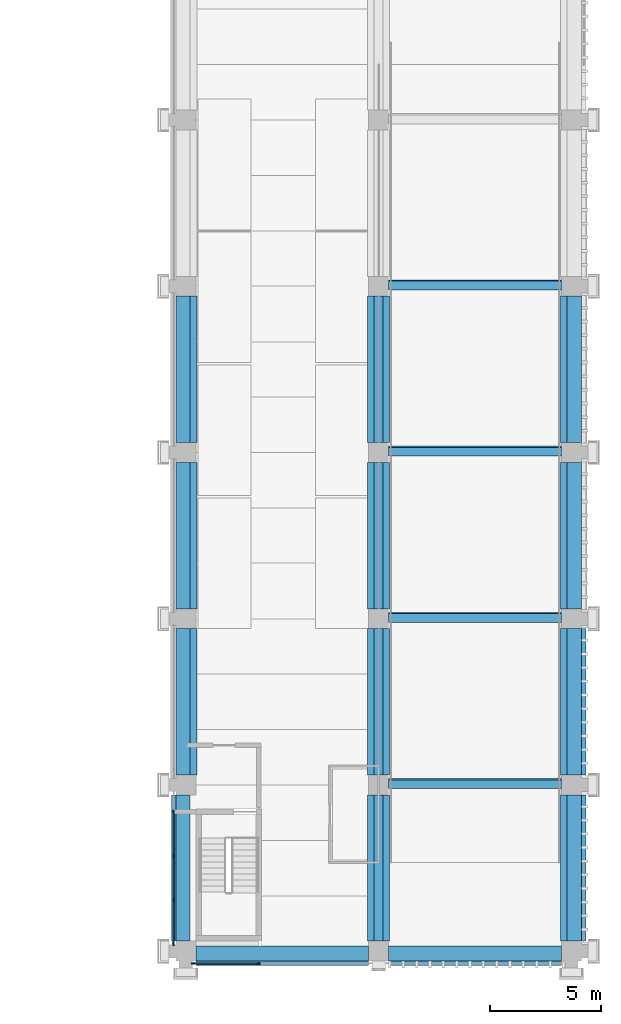
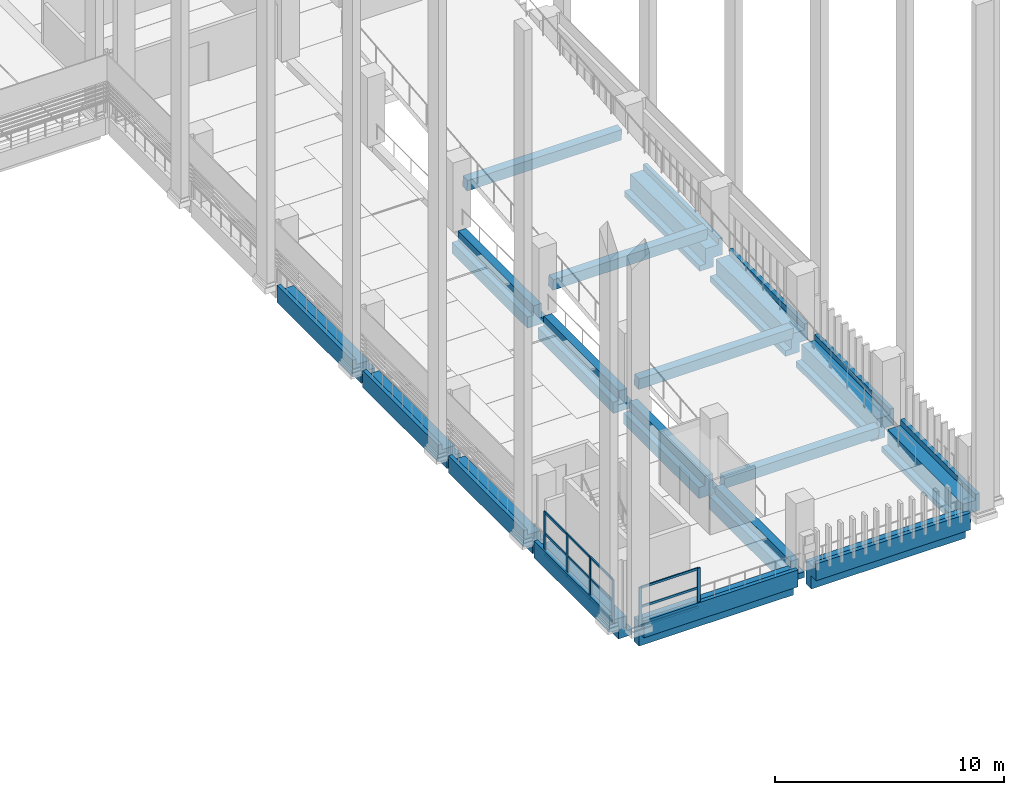
# One storey, part 19 of 67: 18 beams, 18 members, 2 elements without a shape of their own.
"""IFC4 building model written with IfcOpenShell, lengths in metres."""

from ifc_helpers import new_model, si_unit, direction, frame, origin, origin_2d, place, context, subcontext, project, spatial, polyline, rectangle, outline, extrude, material, layer, layer_set, material_profile, profile_set, type_object, element, aggregate, save


model = new_model("IFC4")

# Units and contexts
model_context = context("Model", 3, precision=1e-05, world=origin(), true_north=direction((0.0, 1.0)))
body_context = subcontext(model_context, "Body", "Model", "MODEL_VIEW")
ifc_project = project(units=[si_unit("LENGTHUNIT", "METRE"), si_unit("AREAUNIT", "SQUARE_METRE"), si_unit("VOLUMEUNIT", "CUBIC_METRE"), si_unit("PLANEANGLEUNIT", "RADIAN"), si_unit("MASSUNIT", "GRAM", prefix="KILO")], contexts=[model_context])

# Site, building, storey
site_placement = place(None, origin())
site = spatial("IfcSite", under=ifc_project, at=site_placement, CompositionType="ELEMENT")
building_placement = place(site_placement, origin())
building = spatial("IfcBuilding", under=site, at=building_placement, Name="Cour d'Honneur Mobility Palace", CompositionType="ELEMENT")
storey_placement = place(building_placement, frame((0.0, 0.0, 4.5)))
storey = spatial("IfcBuildingStorey", under=building, at=storey_placement, Name="L01", CompositionType="ELEMENT", Elevation=4.5)

# Curtain wall, members
ifc_material_1 = material(Name="Aluminium and glass", Category="aluminium")
ifc_layer = layer(ifc_material_1, 0.10009765625)
ifc_layer_set = layer_set([ifc_layer], Name="Aluminium and glass")
curtain_wall_type = type_object("IfcCurtainWallType", Name="Curtain wall run", PredefinedType="NOTDEFINED", material=ifc_layer_set)
curtain_wall_1_placement = place(storey_placement, origin())
curtain_wall_1 = element("IfcCurtainWall", 1, at=curtain_wall_1_placement, inside=storey, type_object=curtain_wall_type, Name="Curtain wall CW-135", PredefinedType="NOTDEFINED")
ifc_material_2 = material(Name="Aluminium", Category="aluminium")
ifc_material_profile_1 = material_profile(ifc_material_2, rectangle(XDim=0.06005859375, YDim=0.159912109375, at=origin_2d()), Name="Curtain wall mullion")
ifc_profile_set_1 = profile_set([ifc_material_profile_1], Name="Aluminium")
member_type_1 = type_object("IfcMemberType", Name="Curtain wall mullion", PredefinedType="MULLION", material=ifc_profile_set_1)
member_1_placement = place(storey_placement, frame((144.35009765625, 6.27001953125, 0.0), z_axis=(0.0, 0.0, 1.0), x_axis=(1.0, 0.0, 0.0)))
member_1 = element("IfcMember", 2, at=member_1_placement, type_object=member_type_1, Name="CW-135 mullion 1", PredefinedType="MULLION", context=body_context, shape_type="SweptSolid", body=[
    extrude(rectangle(XDim=0.06005859375, YDim=0.159912109375, at=origin_2d()), origin(), (0.0, 0.0, 1.0), 2.300048828125),
])
member_2_placement = place(storey_placement, frame((144.35009765625, 4.300048828125, 0.0), z_axis=(0.0, 0.0, 1.0), x_axis=(1.0, 0.0, 0.0)))
member_2 = element("IfcMember", 3, at=member_2_placement, type_object=member_type_1, Name="CW-135 mullion 2", PredefinedType="MULLION", context=body_context, shape_type="SweptSolid", body=[
    extrude(rectangle(XDim=0.06005859375, YDim=0.159912109375, at=origin_2d()), origin(), (0.0, 0.0, 1.0), 2.300048828125),
])
member_3_placement = place(storey_placement, frame((144.35009765625, 2.300048828125, 0.0), z_axis=(0.0, 0.0, 1.0), x_axis=(1.0, 0.0, 0.0)))
member_3 = element("IfcMember", 4, at=member_3_placement, type_object=member_type_1, Name="CW-135 mullion 3", PredefinedType="MULLION", context=body_context, shape_type="SweptSolid", body=[
    extrude(rectangle(XDim=0.06005859375, YDim=0.159912109375, at=origin_2d()), origin(), (0.0, 0.0, 1.0), 2.300048828125),
])
member_4_placement = place(storey_placement, frame((144.35009765625, 0.330078125, 0.0), z_axis=(0.0, 0.0, 1.0), x_axis=(1.0, 0.0, 0.0)))
member_4 = element("IfcMember", 5, at=member_4_placement, type_object=member_type_1, Name="CW-135 mullion 4", PredefinedType="MULLION", context=body_context, shape_type="SweptSolid", body=[
    extrude(rectangle(XDim=0.06005859375, YDim=0.159912109375, at=origin_2d()), origin(), (0.0, 0.0, 1.0), 2.300048828125),
])

curtain_wall_2_placement = place(storey_placement, origin())
curtain_wall_2 = element("IfcCurtainWall", 6, at=curtain_wall_2_placement, inside=storey, type_object=curtain_wall_type, Name="Curtain wall CW-136", PredefinedType="NOTDEFINED")
member_5_placement = place(storey_placement, frame((145.22998046875, -0.550048828125, 0.0), z_axis=(0.0, 0.0, 1.0), x_axis=(0.0, 1.0, 0.0)))
member_5 = element("IfcMember", 7, at=member_5_placement, type_object=member_type_1, Name="CW-136 mullion 1", PredefinedType="MULLION", context=body_context, shape_type="SweptSolid", body=[
    extrude(rectangle(XDim=0.06005859375, YDim=0.159912109375, at=origin_2d()), origin(), (0.0, 0.0, 1.0), 2.10009765625),
])
member_6_placement = place(storey_placement, frame((148.169921875, -0.550048828125, 0.0), z_axis=(0.0, 0.0, 1.0), x_axis=(0.0, 1.0, 0.0)))
member_6 = element("IfcMember", 8, at=member_6_placement, type_object=member_type_1, Name="CW-136 mullion 2", PredefinedType="MULLION", context=body_context, shape_type="SweptSolid", body=[
    extrude(rectangle(XDim=0.06005859375, YDim=0.159912109375, at=origin_2d()), origin(), (0.0, 0.0, 1.0), 2.10009765625),
])

# Member
ifc_material_3 = material(Name="Aluminium", Category="aluminium")
ifc_material_profile_2 = material_profile(ifc_material_3, rectangle(XDim=0.06005859375, YDim=0.1201171875, at=origin_2d()), Name="Curtain wall transom")
ifc_profile_set_2 = profile_set([ifc_material_profile_2], Name="Aluminium")
member_type_2 = type_object("IfcMemberType", Name="Curtain wall transom", PredefinedType="USERDEFINED", material=ifc_profile_set_2)
member_7_placement = place(storey_placement, frame((144.35009765625, 6.239990234375, 0.030029296875), z_axis=(0.0, -1.0, 0.0), x_axis=(1.0, 0.0, 0.0)))
member_7 = element("IfcMember", 9, at=member_7_placement, type_object=member_type_2, Name="CW-135 transom 1.1", ObjectType="TRANSOM", PredefinedType="USERDEFINED", context=body_context, shape_type="SweptSolid", body=[
    extrude(rectangle(XDim=0.06005859375, YDim=0.1201171875, at=origin_2d()), origin(), (0.0, 0.0, 1.0), 1.909912109375),
])

member_8_placement = place(storey_placement, frame((144.35009765625, 6.239990234375, 1.14990234375), z_axis=(0.0, -1.0, 0.0), x_axis=(1.0, 0.0, 0.0)))
member_8 = element("IfcMember", 10, at=member_8_placement, type_object=member_type_2, Name="CW-135 transom 1.2", ObjectType="TRANSOM", PredefinedType="USERDEFINED", context=body_context, shape_type="SweptSolid", body=[
    extrude(rectangle(XDim=0.06005859375, YDim=0.1201171875, at=origin_2d()), origin(), (0.0, 0.0, 1.0), 1.909912109375),
])

member_9_placement = place(storey_placement, frame((144.35009765625, 6.239990234375, 2.27001953125), z_axis=(0.0, -1.0, 0.0), x_axis=(1.0, 0.0, 0.0)))
member_9 = element("IfcMember", 11, at=member_9_placement, type_object=member_type_2, Name="CW-135 transom 1.3", ObjectType="TRANSOM", PredefinedType="USERDEFINED", context=body_context, shape_type="SweptSolid", body=[
    extrude(rectangle(XDim=0.06005859375, YDim=0.1201171875, at=origin_2d()), origin(), (0.0, 0.0, 1.0), 1.909912109375),
])

member_10_placement = place(storey_placement, frame((144.35009765625, 4.27001953125, 0.030029296875), z_axis=(0.0, -1.0, 0.0), x_axis=(1.0, 0.0, 0.0)))
member_10 = element("IfcMember", 12, at=member_10_placement, type_object=member_type_2, Name="CW-135 transom 2.1", ObjectType="TRANSOM", PredefinedType="USERDEFINED", context=body_context, shape_type="SweptSolid", body=[
    extrude(rectangle(XDim=0.06005859375, YDim=0.1201171875, at=origin_2d()), origin(), (0.0, 0.0, 1.0), 1.93994140625),
])

member_11_placement = place(storey_placement, frame((144.35009765625, 4.27001953125, 1.14990234375), z_axis=(0.0, -1.0, 0.0), x_axis=(1.0, 0.0, 0.0)))
member_11 = element("IfcMember", 13, at=member_11_placement, type_object=member_type_2, Name="CW-135 transom 2.2", ObjectType="TRANSOM", PredefinedType="USERDEFINED", context=body_context, shape_type="SweptSolid", body=[
    extrude(rectangle(XDim=0.06005859375, YDim=0.1201171875, at=origin_2d()), origin(), (0.0, 0.0, 1.0), 1.93994140625),
])

member_12_placement = place(storey_placement, frame((144.35009765625, 4.27001953125, 2.27001953125), z_axis=(0.0, -1.0, 0.0), x_axis=(1.0, 0.0, 0.0)))
member_12 = element("IfcMember", 14, at=member_12_placement, type_object=member_type_2, Name="CW-135 transom 2.3", ObjectType="TRANSOM", PredefinedType="USERDEFINED", context=body_context, shape_type="SweptSolid", body=[
    extrude(rectangle(XDim=0.06005859375, YDim=0.1201171875, at=origin_2d()), origin(), (0.0, 0.0, 1.0), 1.93994140625),
])

member_13_placement = place(storey_placement, frame((144.35009765625, 2.27001953125, 0.030029296875), z_axis=(0.0, -1.0, 0.0), x_axis=(1.0, 0.0, 0.0)))
member_13 = element("IfcMember", 15, at=member_13_placement, type_object=member_type_2, Name="CW-135 transom 3.1", ObjectType="TRANSOM", PredefinedType="USERDEFINED", context=body_context, shape_type="SweptSolid", body=[
    extrude(rectangle(XDim=0.06005859375, YDim=0.1201171875, at=origin_2d()), origin(), (0.0, 0.0, 1.0), 1.909912109375),
])

member_14_placement = place(storey_placement, frame((144.35009765625, 2.27001953125, 1.14990234375), z_axis=(0.0, -1.0, 0.0), x_axis=(1.0, 0.0, 0.0)))
member_14 = element("IfcMember", 16, at=member_14_placement, type_object=member_type_2, Name="CW-135 transom 3.2", ObjectType="TRANSOM", PredefinedType="USERDEFINED", context=body_context, shape_type="SweptSolid", body=[
    extrude(rectangle(XDim=0.06005859375, YDim=0.1201171875, at=origin_2d()), origin(), (0.0, 0.0, 1.0), 1.909912109375),
])

member_15_placement = place(storey_placement, frame((144.35009765625, 2.27001953125, 2.27001953125), z_axis=(0.0, -1.0, 0.0), x_axis=(1.0, 0.0, 0.0)))
member_15 = element("IfcMember", 17, at=member_15_placement, type_object=member_type_2, Name="CW-135 transom 3.3", ObjectType="TRANSOM", PredefinedType="USERDEFINED", context=body_context, shape_type="SweptSolid", body=[
    extrude(rectangle(XDim=0.06005859375, YDim=0.1201171875, at=origin_2d()), origin(), (0.0, 0.0, 1.0), 1.909912109375),
])

aggregate(curtain_wall_1, [member_1, member_2, member_3, member_4, member_7, member_8, member_9, member_10, member_11, member_12, member_13, member_14, member_15])

member_16_placement = place(storey_placement, frame((145.260009765625, -0.550048828125, 0.030029296875), z_axis=(1.0, 0.0, 0.0), x_axis=(0.0, 1.0, 0.0)))
member_16 = element("IfcMember", 18, at=member_16_placement, type_object=member_type_2, Name="CW-136 transom 1.1", ObjectType="TRANSOM", PredefinedType="USERDEFINED", context=body_context, shape_type="SweptSolid", body=[
    extrude(rectangle(XDim=0.06005859375, YDim=0.1201171875, at=origin_2d()), origin(), (0.0, 0.0, 1.0), 2.8798828125),
])

member_17_placement = place(storey_placement, frame((145.260009765625, -0.550048828125, 1.050048828125), z_axis=(1.0, 0.0, 0.0), x_axis=(0.0, 1.0, 0.0)))
member_17 = element("IfcMember", 19, at=member_17_placement, type_object=member_type_2, Name="CW-136 transom 1.2", ObjectType="TRANSOM", PredefinedType="USERDEFINED", context=body_context, shape_type="SweptSolid", body=[
    extrude(rectangle(XDim=0.06005859375, YDim=0.1201171875, at=origin_2d()), origin(), (0.0, 0.0, 1.0), 2.8798828125),
])

member_18_placement = place(storey_placement, frame((145.260009765625, -0.550048828125, 2.070068359375), z_axis=(1.0, 0.0, 0.0), x_axis=(0.0, 1.0, 0.0)))
member_18 = element("IfcMember", 20, at=member_18_placement, type_object=member_type_2, Name="CW-136 transom 1.3", ObjectType="TRANSOM", PredefinedType="USERDEFINED", context=body_context, shape_type="SweptSolid", body=[
    extrude(rectangle(XDim=0.06005859375, YDim=0.1201171875, at=origin_2d()), origin(), (0.0, 0.0, 1.0), 2.8798828125),
])

aggregate(curtain_wall_2, [member_5, member_6, member_16, member_17, member_18])

# Beams
ifc_material_4 = material(Name="Concrete C45", Category="concrete")
ifc_material_profile_3 = material_profile(ifc_material_4, outline(polyline([(0.22509765625, -1.300048828125), (0.22509765625, 0.0), (-0.22509765625, 0.0), (-0.449951171875, 0.0), (-0.449951171875, 0.300048828125), (-0.64990234375, 0.300048828125), (-0.64990234375, -0.60009765625), (-0.22509765625, -0.60009765625), (-0.22509765625, -1.300048828125), (0.22509765625, -1.300048828125)])), Name="Edge Spandrel Beam 450x1300 no ledge facade right")
ifc_profile_set_3 = profile_set([ifc_material_profile_3], Name="Concrete C45")
beam_type_1 = type_object("IfcBeamType", Name="Edge Spandrel Beam 450x1300 no ledge facade right", PredefinedType="SPANDREL", material=ifc_profile_set_3)
beam_1_placement = place(storey_placement, frame((145.35009765625, 0.0, 0.0), z_axis=(1.0, 0.0, 0.0), x_axis=(0.0, 1.0, 0.0)))
element("IfcBeam", 21, at=beam_1_placement, inside=storey, type_object=beam_type_1, Name="Precast beam B1 19-19A L01", PredefinedType="SPANDREL", context=body_context, shape_type="SweptSolid", body=[
    extrude(outline(polyline([(0.22509765625, -1.300048828125), (0.22509765625, 0.0), (-0.22509765625, 0.0), (-0.449951171875, 0.0), (-0.449951171875, 0.300048828125), (-0.64990234375, 0.300048828125), (-0.64990234375, -0.60009765625), (-0.22509765625, -0.60009765625), (-0.22509765625, -1.300048828125), (0.22509765625, -1.300048828125)])), origin(), (0.0, 0.0, 1.0), 7.7998046875),
])
beam_2_placement = place(storey_placement, frame((154.050048828125, 0.0, 0.0), z_axis=(1.0, 0.0, 0.0), x_axis=(0.0, 1.0, 0.0)))
element("IfcBeam", 22, at=beam_2_placement, inside=storey, type_object=beam_type_1, Name="Precast beam B1 19A-20 L01", PredefinedType="SPANDREL", context=body_context, shape_type="SweptSolid", body=[
    extrude(outline(polyline([(0.22509765625, -1.300048828125), (0.22509765625, 0.0), (-0.22509765625, 0.0), (-0.449951171875, 0.0), (-0.449951171875, 0.300048828125), (-0.64990234375, 0.300048828125), (-0.64990234375, -0.60009765625), (-0.22509765625, -0.60009765625), (-0.22509765625, -1.300048828125), (0.22509765625, -1.300048828125)])), origin(), (0.0, 0.0, 1.0), 7.800048828125),
])
ifc_material_5 = material(Name="Concrete C45", Category="concrete")
ifc_material_profile_4 = material_profile(ifc_material_5, outline(polyline([(0.5, -1.10009765625), (0.5, -0.5), (0.199951171875, -0.5), (0.199951171875, 0.0), (-0.199951171875, 0.0), (-0.199951171875, -0.800048828125), (-0.5, -0.800048828125), (-0.5, -1.10009765625), (0.5, -1.10009765625)])), Name="Inverted Tee Beam 400x1100 ledges 600/300 plain")
ifc_profile_set_4 = profile_set([ifc_material_profile_4], Name="Concrete C45")
beam_type_2 = type_object("IfcBeamType", Name="Inverted Tee Beam 400x1100 ledges 600/300 plain", PredefinedType="T_BEAM", material=ifc_profile_set_4)
for number, where, z_axis, x_axis, name in (
    (23, (153.60009765625, 7.949951171875, 0.0), (0.0, 1.0, 0.0), (-1.0, 0.0, 0.0), "Precast beam B19 B-C L01"),
    (24, (153.60009765625, 15.449951171875, 0.0), (0.0, 1.0, 0.0), (-1.0, 0.0, 0.0), "Precast beam B19 C-D L01"),
    (25, (153.60009765625, 22.949951171875, 0.0), (0.0, 1.0, 0.0), (-1.0, 0.0, 0.0), "Precast beam B19 D-E L01"),
):
    element("IfcBeam", number, at=place(storey_placement, frame(where, z_axis=z_axis, x_axis=x_axis)), inside=storey, type_object=beam_type_2, Name=name, PredefinedType="T_BEAM", context=body_context, shape_type="SweptSolid", body=[
        extrude(outline(polyline([(0.5, -1.10009765625), (0.5, -0.5), (0.199951171875, -0.5), (0.199951171875, 0.0), (-0.199951171875, 0.0), (-0.199951171875, -0.800048828125), (-0.5, -0.800048828125), (-0.5, -1.10009765625), (0.5, -1.10009765625)])), origin(), (0.0, 0.0, 1.0), 6.60009765625),
    ])
ifc_material_6 = material(Name="Concrete C45", Category="concrete")
ifc_material_profile_5 = material_profile(ifc_material_6, outline(polyline([(0.5, -1.10009765625), (0.5, -0.39990234375), (0.199951171875, -0.39990234375), (0.199951171875, 0.0), (-0.199951171875, 0.0), (-0.199951171875, -0.800048828125), (-0.5, -0.800048828125), (-0.5, -1.10009765625), (0.5, -1.10009765625)])), Name="Inverted Tee Beam 400x1100 ledges 700/300 plain")
ifc_profile_set_5 = profile_set([ifc_material_profile_5], Name="Concrete C45")
beam_type_3 = type_object("IfcBeamType", Name="Inverted Tee Beam 400x1100 ledges 700/300 plain", PredefinedType="T_BEAM", material=ifc_profile_set_5)
beam_3_placement = place(storey_placement, frame((153.60009765625, 0.449951171875, 0.0), z_axis=(0.0, 1.0, 0.0), x_axis=(-1.0, 0.0, 0.0)))
element("IfcBeam", 26, at=beam_3_placement, inside=storey, type_object=beam_type_3, Name="Precast beam B18 A-B L01", PredefinedType="T_BEAM", context=body_context, shape_type="SweptSolid", body=[
    extrude(outline(polyline([(0.5, -1.10009765625), (0.5, -0.39990234375), (0.199951171875, -0.39990234375), (0.199951171875, 0.0), (-0.199951171875, 0.0), (-0.199951171875, -0.800048828125), (-0.5, -0.800048828125), (-0.5, -1.10009765625), (0.5, -1.10009765625)])), origin(), (0.0, 0.0, 1.0), 6.60009765625),
])
ifc_material_7 = material(Name="Concrete C45", Category="concrete")
ifc_material_profile_6 = material_profile(ifc_material_7, outline(polyline([(0.5, -1.10009765625), (0.5, -0.800048828125), (0.199951171875, -0.800048828125), (0.199951171875, 0.0), (-0.199951171875, 0.0), (-0.449951171875, 0.0), (-0.449951171875, 0.300048828125), (-0.64990234375, 0.300048828125), (-0.64990234375, -0.60009765625), (-0.199951171875, -0.60009765625), (-0.199951171875, -1.10009765625), (0.5, -1.10009765625)])), Name="Ledger Beam 400x1100 ledge left 300 facade right")
ifc_profile_set_6 = profile_set([ifc_material_profile_6], Name="Concrete C45")
beam_type_4 = type_object("IfcBeamType", Name="Ledger Beam 400x1100 ledge left 300 facade right", PredefinedType="BEAM", material=ifc_profile_set_6)
for number, where, z_axis, x_axis, name in (
    (27, (162.300048828125, 0.449951171875, 0.0), (0.0, 1.0, 0.0), (-1.0, 0.0, 0.0), "Precast beam B3 A-B L01"),
    (28, (162.300048828125, 7.949951171875, 0.0), (0.0, 1.0, 0.0), (-1.0, 0.0, 0.0), "Precast beam B3 B-C L01"),
    (29, (162.300048828125, 15.449951171875, 0.0), (0.0, 1.0, 0.0), (-1.0, 0.0, 0.0), "Precast beam B3 C-D L01"),
    (30, (162.300048828125, 22.949951171875, 0.0), (0.0, 1.0, 0.0), (-1.0, 0.0, 0.0), "Precast beam B3 D-E L01"),
):
    element("IfcBeam", number, at=place(storey_placement, frame(where, z_axis=z_axis, x_axis=x_axis)), inside=storey, type_object=beam_type_4, Name=name, PredefinedType="BEAM", context=body_context, shape_type="SweptSolid", body=[
        extrude(outline(polyline([(0.5, -1.10009765625), (0.5, -0.800048828125), (0.199951171875, -0.800048828125), (0.199951171875, 0.0), (-0.199951171875, 0.0), (-0.449951171875, 0.0), (-0.449951171875, 0.300048828125), (-0.64990234375, 0.300048828125), (-0.64990234375, -0.60009765625), (-0.199951171875, -0.60009765625), (-0.199951171875, -1.10009765625), (0.5, -1.10009765625)])), origin(), (0.0, 0.0, 1.0), 6.60009765625),
    ])
ifc_material_8 = material(Name="Concrete C45", Category="concrete")
ifc_material_profile_7 = material_profile(ifc_material_8, outline(polyline([(0.199951171875, -1.10009765625), (0.199951171875, -0.60009765625), (0.64990234375, -0.60009765625), (0.64990234375, 0.300048828125), (0.449951171875, 0.300048828125), (0.449951171875, 0.0), (0.199951171875, 0.0), (-0.199951171875, 0.0), (-0.199951171875, -0.800048828125), (-0.5, -0.800048828125), (-0.5, -1.10009765625), (0.199951171875, -1.10009765625)])), Name="Ledger Beam 400x1100 ledge right 300 facade left")
ifc_profile_set_7 = profile_set([ifc_material_profile_7], Name="Concrete C45")
beam_type_5 = type_object("IfcBeamType", Name="Ledger Beam 400x1100 ledge right 300 facade left", PredefinedType="BEAM", material=ifc_profile_set_7)
beam_4_placement = place(storey_placement, frame((144.89990234375, 0.449951171875, 0.0), z_axis=(0.0, 1.0, 0.0), x_axis=(-1.0, 0.0, 0.0)))
element("IfcBeam", 31, at=beam_4_placement, inside=storey, type_object=beam_type_5, Name="Precast beam B6 A-B L01", PredefinedType="BEAM", context=body_context, shape_type="SweptSolid", body=[
    extrude(outline(polyline([(0.199951171875, -1.10009765625), (0.199951171875, -0.60009765625), (0.64990234375, -0.60009765625), (0.64990234375, 0.300048828125), (0.449951171875, 0.300048828125), (0.449951171875, 0.0), (0.199951171875, 0.0), (-0.199951171875, 0.0), (-0.199951171875, -0.800048828125), (-0.5, -0.800048828125), (-0.5, -1.10009765625), (0.199951171875, -1.10009765625)])), origin(), (0.0, 0.0, 1.0), 6.60009765625),
])
ifc_material_9 = material(Name="Concrete C45", Category="concrete")
ifc_material_profile_8 = material_profile(ifc_material_9, outline(polyline([(0.199951171875, -1.10009765625), (0.199951171875, -0.60009765625), (0.64990234375, -0.60009765625), (0.64990234375, 0.300048828125), (0.449951171875, 0.300048828125), (0.449951171875, 0.0), (0.199951171875, 0.0), (-0.199951171875, 0.0), (-0.199951171875, -0.5), (-0.5, -0.5), (-0.5, -1.10009765625), (0.199951171875, -1.10009765625)])), Name="Ledger Beam 400x1100 ledge right 600 facade left")
ifc_profile_set_8 = profile_set([ifc_material_profile_8], Name="Concrete C45")
beam_type_6 = type_object("IfcBeamType", Name="Ledger Beam 400x1100 ledge right 600 facade left", PredefinedType="BEAM", material=ifc_profile_set_8)
for number, where, z_axis, x_axis, name in (
    (32, (144.89990234375, 7.949951171875, 0.0), (0.0, 1.0, 0.0), (-1.0, 0.0, 0.0), "Precast beam B15 B-C L01"),
    (33, (144.89990234375, 15.449951171875, 0.0), (0.0, 1.0, 0.0), (-1.0, 0.0, 0.0), "Precast beam B15 C-D L01"),
    (34, (144.89990234375, 22.949951171875, 0.0), (0.0, 1.0, 0.0), (-1.0, 0.0, 0.0), "Precast beam B15 D-E L01"),
):
    element("IfcBeam", number, at=place(storey_placement, frame(where, z_axis=z_axis, x_axis=x_axis)), inside=storey, type_object=beam_type_6, Name=name, PredefinedType="BEAM", context=body_context, shape_type="SweptSolid", body=[
        extrude(outline(polyline([(0.199951171875, -1.10009765625), (0.199951171875, -0.60009765625), (0.64990234375, -0.60009765625), (0.64990234375, 0.300048828125), (0.449951171875, 0.300048828125), (0.449951171875, 0.0), (0.199951171875, 0.0), (-0.199951171875, 0.0), (-0.199951171875, -0.5), (-0.5, -0.5), (-0.5, -1.10009765625), (0.199951171875, -1.10009765625)])), origin(), (0.0, 0.0, 1.0), 6.60009765625),
    ])
ifc_material_10 = material(Name="Concrete C40", Category="concrete")
ifc_material_profile_9 = material_profile(ifc_material_10, rectangle(XDim=0.39990234375, YDim=0.60009765625, at=origin_2d()), Name="Ramp cross beam 400x600")
ifc_profile_set_9 = profile_set([ifc_material_profile_9], Name="Concrete C40")
beam_type_7 = type_object("IfcBeamType", Name="Ramp cross beam 400x600", PredefinedType="BEAM", material=ifc_profile_set_9)
for number, where, z_axis, x_axis, name in (
    (35, (161.85009765625, 7.559814453125, -0.2470703125), (-1.0, 0.0, 0.0), (0.0, -0.995037190449, -0.099503716633), "Ramp cross beam SE.R1-1"),
    (36, (161.85009765625, 15.059814453125, 0.5029296875), (-1.0, 0.0, 0.0), (0.0, -0.995037190449, -0.099503716633), "Ramp cross beam SE.R1-2"),
    (37, (161.85009765625, 22.559814453125, 1.2529296875), (-1.0, 0.0, 0.0), (0.0, -0.995037190449, -0.099503716633), "Ramp cross beam SE.R1-3"),
    (38, (161.85009765625, 30.059814453125, 2.0029296875), (-1.0, 0.0, 0.0), (0.0, -0.995037190449, -0.099503716633), "Ramp cross beam SE.R1-4"),
):
    element("IfcBeam", number, at=place(storey_placement, frame(where, z_axis=z_axis, x_axis=x_axis)), inside=storey, type_object=beam_type_7, Name=name, PredefinedType="BEAM", context=body_context, shape_type="SweptSolid", body=[
        extrude(rectangle(XDim=0.39990234375, YDim=0.60009765625, at=origin_2d()), origin(), (0.0, 0.0, 1.0), 7.800048828125),
    ])

save(model, "model.ifc")
